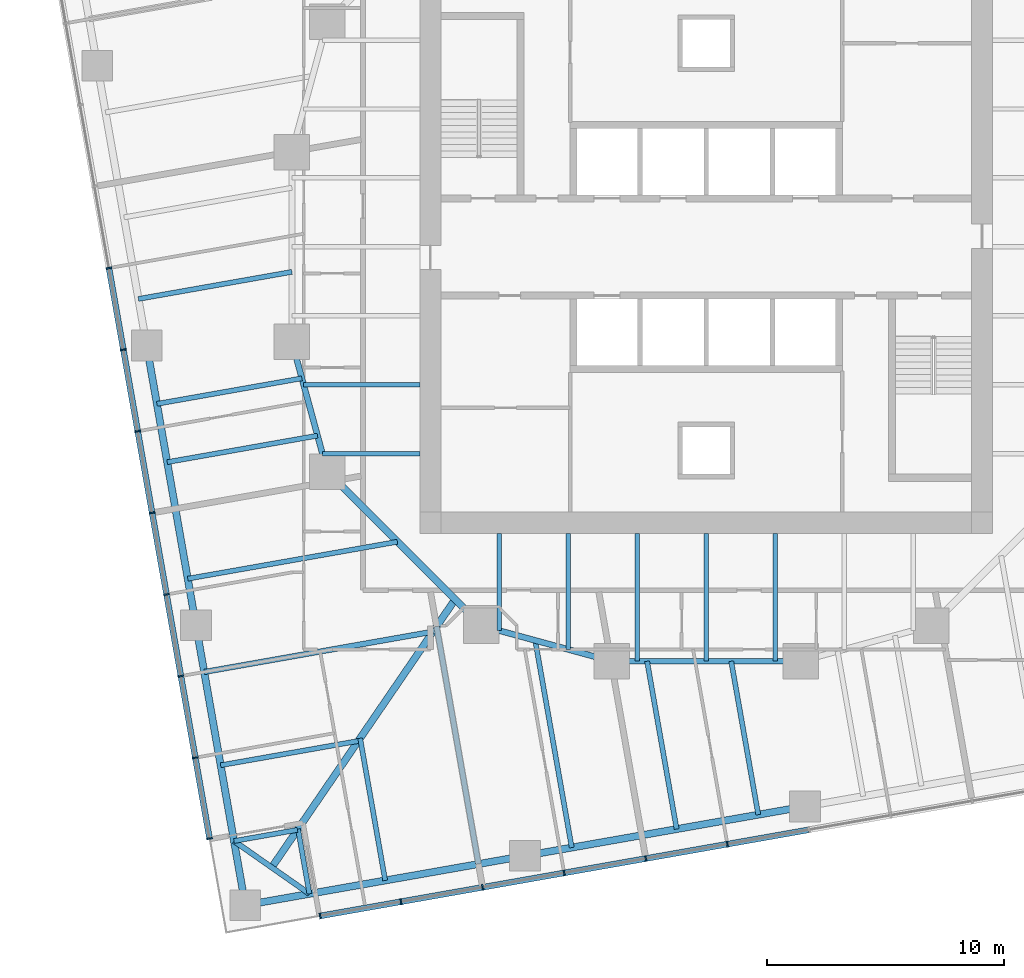
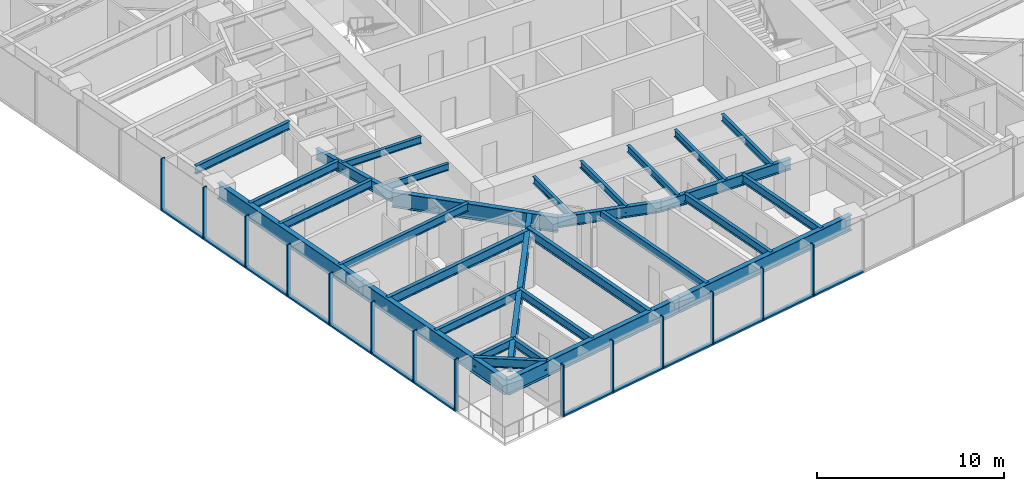
# One storey, part 2 of 14: 30 beams, 27 members, 2 elements without a shape of their own.
"""IFC4 building model written with IfcOpenShell, lengths in metres."""

import ifcopenshell
import ifcopenshell.guid

model = None  # the IFC model being written
_history = None  # IfcOwnerHistory: only IFC2X3 demands one
_inside = {}  # id of a spatial element -> (the spatial element, [elements in it])
_under = {}  # id of a project, library or spatial element -> (it, [spatial elements below it])
_declared = {}  # id of a project -> (the project, [libraries it declares])
_typed = {}  # id of a type object -> (the type object, [elements of that type])
_made_of = {}  # id of a material, layer set ... -> (it, [elements and type objects made of it])


def new_model(schema):
    """Start an empty IFC model of exactly this schema.

    Asked for "IFC4X3", IfcOpenShell would pick the latest addendum, in which some entities
    have other attributes; the version numbers below select the first issue.
    IFC2X3 requires an IfcOwnerHistory on every rooted entity: one is made here for all.
    """
    global model, _history
    if schema == "IFC4X3":
        model = ifcopenshell.file(schema_version=(4, 3, 0, 0))
    else:
        model = ifcopenshell.file(schema=schema)
    _inside.clear()
    _under.clear()
    _declared.clear()
    _typed.clear()
    _made_of.clear()
    _history = None
    if model.schema == "IFC2X3":
        org = make("IfcOrganization", Name="unknown")
        user = make(
            "IfcPersonAndOrganization",
            ThePerson=make("IfcPerson", FamilyName="unknown"),
            TheOrganization=org,
        )
        app = make(
            "IfcApplication",
            ApplicationDeveloper=org,
            Version="unknown",
            ApplicationFullName="unknown",
            ApplicationIdentifier="unknown",
        )
        _history = make(
            "IfcOwnerHistory",
            OwningUser=user,
            OwningApplication=app,
            ChangeAction="ADDED",
            CreationDate=0,
        )
    return model


def make(cls, **values):
    """One entity of the class cls with the attributes given. An attribute that is None is left unset."""
    return model.create_entity(
        cls, **{name: value for name, value in values.items() if value is not None}
    )


def rooted(cls, **values):
    """An entity with a GlobalId (a new one), such as an element, a storey or a relation."""
    return make(cls, GlobalId=ifcopenshell.guid.new(), OwnerHistory=_history, **values)


def si_unit(unit_type, name, prefix=None):
    """IfcSIUnit, for example si_unit("LENGTHUNIT", "METRE", prefix="MILLI")."""
    return make("IfcSIUnit", UnitType=unit_type, Prefix=prefix, Name=name)


def assignment(units):
    """IfcUnitAssignment: the units of a project."""
    return None if units is None else make("IfcUnitAssignment", Units=units)


def point(xyz):
    """IfcCartesianPoint."""
    return None if xyz is None else make("IfcCartesianPoint", Coordinates=xyz)


def direction(xyz):
    """IfcDirection."""
    return None if xyz is None else make("IfcDirection", DirectionRatios=xyz)


def frame(location, z_axis=None, x_axis=None):
    """IfcAxis2Placement3D, a coordinate frame: its origin and axes. An axis left out is left unset."""
    return make(
        "IfcAxis2Placement3D",
        Location=point(location),
        Axis=direction(z_axis),
        RefDirection=direction(x_axis),
    )


def frame_2d(location, x_axis=None):
    """IfcAxis2Placement2D, a coordinate frame in the plane: its origin and x axis."""
    return make(
        "IfcAxis2Placement2D", Location=point(location), RefDirection=direction(x_axis)
    )


def origin():
    """The frame at (0, 0, 0) with its axes left unset."""
    return frame((0.0, 0.0, 0.0))


def origin_2d():
    """The frame at (0, 0) in the plane with its x axis left unset."""
    return frame_2d((0.0, 0.0))


def place(relative_to, where):
    """IfcLocalPlacement: puts the frame where relative to a parent placement (None: the world)."""
    return make(
        "IfcLocalPlacement", PlacementRelTo=relative_to, RelativePlacement=where
    )


def context(
    kind, dimensions, precision=None, world=None, true_north=None, identifier=None
):
    """IfcGeometricRepresentationContext, for example the 3D "Model" context."""
    return make(
        "IfcGeometricRepresentationContext",
        ContextIdentifier=identifier,
        ContextType=kind,
        CoordinateSpaceDimension=dimensions,
        Precision=precision,
        WorldCoordinateSystem=world,
        TrueNorth=true_north,
    )


def subcontext(parent, identifier, kind, view, scale=None):
    """IfcGeometricRepresentationSubContext, for example "Body" below "Model"."""
    return make(
        "IfcGeometricRepresentationSubContext",
        ContextIdentifier=identifier,
        ContextType=kind,
        ParentContext=parent,
        TargetScale=scale,
        TargetView=view,
    )


def project(units=None, contexts=None):
    """IfcProject with its units and contexts."""
    return rooted(
        "IfcProject",
        Name="project",
        RepresentationContexts=contexts,
        UnitsInContext=assignment(units),
    )


def spatial(cls, under=None, at=None, **own):
    """A site, building, storey or space (cls), placed at a placement, below another one or the project."""
    s = rooted(cls, ObjectPlacement=at, **own)
    if under is not None:
        _under.setdefault(under.id(), (under, []))[1].append(s)
    return s


def profile(cls, at=None, kind="AREA", **sizes):
    """A parametric profile (cls). Its sizes go by their IFC names, for example OverallWidth=200.0."""
    return make(cls, ProfileType=kind, Position=at, **sizes)


def rectangle(**sizes):
    """IfcRectangleProfileDef."""
    return profile("IfcRectangleProfileDef", **sizes)


def i_section(**sizes):
    """IfcIShapeProfileDef."""
    return profile("IfcIShapeProfileDef", **sizes)


def extrude(swept, where, along, depth):
    """IfcExtrudedAreaSolid: the profile swept, set in the frame where, extruded along a direction by depth."""
    return make(
        "IfcExtrudedAreaSolid",
        SweptArea=swept,
        Position=where,
        ExtrudedDirection=direction(along),
        Depth=depth,
    )


def shape(context_of_items, identifier, shape_type, items):
    """IfcShapeRepresentation: the items that make up one representation, for example the "Body"."""
    return make(
        "IfcShapeRepresentation",
        ContextOfItems=context_of_items,
        RepresentationIdentifier=identifier,
        RepresentationType=shape_type,
        Items=items,
    )


def material(Name=None, Category=None):
    """IfcMaterial."""
    return make("IfcMaterial", Name=Name, Category=Category)


def material_profile(
    of_material, cross_section, Name=None, Category=None, Priority=None
):
    """IfcMaterialProfile: a cross section and its material."""
    return make(
        "IfcMaterialProfile",
        Name=Name,
        Material=of_material,
        Profile=cross_section,
        Priority=Priority,
        Category=Category,
    )


def profile_set(profiles, Name=None, composite=None):
    """IfcMaterialProfileSet."""
    return make(
        "IfcMaterialProfileSet",
        Name=Name,
        MaterialProfiles=profiles,
        CompositeProfile=composite,
    )


def made_of(thing, what):
    """Note that an element or type object is made of a material, layer set ...; save() writes the relation."""
    if what is not None:
        _made_of.setdefault(what.id(), (what, []))[1].append(thing)
    return thing


def type_object(cls, material=None, **own):
    """A type object (cls), such as IfcWallType, which elements share."""
    return made_of(rooted(cls, **own), material)


def element(
    cls,
    number,
    at=None,
    inside=None,
    cuts=None,
    type_object=None,
    material=None,
    context=None,
    identifier="Body",
    shape_type=None,
    held_by="IfcProductDefinitionShape",
    body=None,
    shapes=None,
    **own,
):
    """One element of the class cls, such as IfcWall. Its Tag is "e" and its number.

    at: its placement. inside: the storey or other place that contains it. cuts: it is an
    opening in that element (IfcRelVoidsElement). A single representation is given by context,
    identifier, shape_type and body (its items); several are given by shapes. held_by: the class
    of the entity that holds the representations. save() writes the other relations.
    """
    e = rooted(cls, Tag="e%d" % number, ObjectPlacement=at, **own)
    if body is not None:
        shapes = [shape(context, identifier, shape_type, body)]
    if shapes is not None:
        e.Representation = make(held_by, Representations=shapes)
    if inside is not None:
        _inside.setdefault(inside.id(), (inside, []))[1].append(e)
    if cuts is not None:
        rooted(
            "IfcRelVoidsElement", RelatingBuildingElement=cuts, RelatedOpeningElement=e
        )
    if type_object is not None:
        _typed.setdefault(type_object.id(), (type_object, []))[1].append(e)
    return made_of(e, material)


def aggregate(whole, parts):
    """IfcRelAggregates: a whole, such as a stair, and the parts it consists of."""
    return rooted("IfcRelAggregates", RelatingObject=whole, RelatedObjects=parts)


def save(model, path):
    """Write the relations noted so far, then the file.

    IfcRelAggregates (storeys below a building ...), IfcRelContainedInSpatialStructure (elements
    in a storey), IfcRelDefinesByType, IfcRelAssociatesMaterial and IfcRelDeclares: one each for
    every whole, place, type object, material and project.
    """
    for whole, parts in _under.values():
        aggregate(whole, parts)
    for where, things in _inside.values():
        rooted(
            "IfcRelContainedInSpatialStructure",
            RelatedElements=things,
            RelatingStructure=where,
        )
    for kind, things in _typed.values():
        rooted("IfcRelDefinesByType", RelatedObjects=things, RelatingType=kind)
    for what, things in _made_of.values():
        rooted("IfcRelAssociatesMaterial", RelatedObjects=things, RelatingMaterial=what)
    for by, libraries in _declared.values():
        rooted("IfcRelDeclares", RelatingContext=by, RelatedDefinitions=libraries)
    model.write(path)


model = new_model("IFC4")

# Units and contexts
model_context = context("Model", 3, precision=1e-05, world=origin(), true_north=direction((0.0, 1.0)))
body_context = subcontext(model_context, "Body", "Model", "MODEL_VIEW")
ifc_project = project(units=[si_unit("LENGTHUNIT", "METRE"), si_unit("AREAUNIT", "SQUARE_METRE"), si_unit("VOLUMEUNIT", "CUBIC_METRE"), si_unit("PLANEANGLEUNIT", "RADIAN"), si_unit("MASSUNIT", "GRAM", prefix="KILO")], contexts=[model_context])

# Site, building, storey
site_placement = place(None, origin())
site = spatial("IfcSite", under=ifc_project, at=site_placement, CompositionType="ELEMENT")
building_placement = place(site_placement, origin())
building = spatial("IfcBuilding", under=site, at=building_placement, Name="Torsade Residences", CompositionType="ELEMENT")
storey_placement = place(building_placement, frame((0.0, 0.0, 79.39990234375)))
storey = spatial("IfcBuildingStorey", under=building, at=storey_placement, Name="L21", CompositionType="ELEMENT", Elevation=79.39990234375)

# Beams
ifc_material_1 = material(Name="Steel grade 300", Category="steel")
ifc_material_profile_1 = material_profile(ifc_material_1, i_section(OverallWidth=0.300048828125, OverallDepth=0.89990234375, WebThickness=0.011962890625, FlangeThickness=0.02490234375, at=origin_2d()), Name="900WB175")
ifc_profile_set_1 = profile_set([ifc_material_profile_1], Name="Steel grade 300")
beam_type_1 = type_object("IfcBeamType", Name="CORNER GIRDER 900WB175", PredefinedType="BEAM", material=ifc_profile_set_1)
beam_1_placement = place(storey_placement, frame((21.6474609375, 3.7900390625, 2.800048828125), z_axis=(0.564724759437, 0.825279313977, 0.0), x_axis=(-0.825279313977, 0.564724759437, 0.0)))
element("IfcBeam", 1, at=beam_1_placement, inside=storey, type_object=beam_type_1, Name="Corner girder 01 L22", PredefinedType="BEAM", context=body_context, shape_type="SweptSolid", body=[
    extrude(i_section(OverallWidth=0.300048828125, OverallDepth=0.89990234375, WebThickness=0.011962890625, FlangeThickness=0.02490234375, at=origin_2d()), origin(), (0.0, 0.0, 1.0), 13.7138671875),
])
ifc_material_2 = material(Name="Steel grade 300", Category="steel")
ifc_material_profile_2 = material_profile(ifc_material_2, i_section(OverallWidth=0.22802734375, OverallDepth=0.60205078125, WebThickness=0.010498046875, FlangeThickness=0.014892578125, FilletRadius=0.013916015625, at=origin_2d()), Name="610UB101")
ifc_profile_set_2 = profile_set([ifc_material_profile_2], Name="Steel grade 300")
beam_type_2 = type_object("IfcBeamType", Name="CORNER TRIMMER 610UB101", PredefinedType="BEAM", material=ifc_profile_set_2)
beam_2_placement = place(storey_placement, frame((23.240478515625, 2.674560546875, 2.94921875), z_axis=(-0.819152285145, 0.573576092373, 0.0), x_axis=(-0.573576092373, -0.819152285145, 0.0)))
element("IfcBeam", 2, at=beam_2_placement, inside=storey, type_object=beam_type_2, Name="Corner trimmer 01 L22", PredefinedType="BEAM", context=body_context, shape_type="SweptSolid", body=[
    extrude(i_section(OverallWidth=0.22802734375, OverallDepth=0.60205078125, WebThickness=0.010498046875, FlangeThickness=0.014892578125, FilletRadius=0.013916015625, at=origin_2d()), origin(), (0.0, 0.0, 1.0), 3.88916015625),
])

# Curtain wall, members
ifc_material_3 = material(Name="Aluminium and glass", Category="aluminium")
curtain_wall_type = type_object("IfcCurtainWallType", Name="FRITTED GLASS CURTAIN WALL LOW ZONE", PredefinedType="NOTDEFINED", material=ifc_material_3)
curtain_wall_1_placement = place(storey_placement, origin())
curtain_wall_1 = element("IfcCurtainWall", 3, at=curtain_wall_1_placement, inside=storey, type_object=curtain_wall_type, Name="Curtain wall L21 face 1", PredefinedType="NOTDEFINED")
ifc_material_4 = material(Name="Aluminium mullion", Category="aluminium")
ifc_material_profile_3 = material_profile(ifc_material_4, rectangle(XDim=0.25, YDim=0.06494140625, at=origin_2d()), Name="CURTAIN WALL MULLION 250x65")
ifc_profile_set_3 = profile_set([ifc_material_profile_3], Name="Aluminium mullion")
member_type_1 = type_object("IfcMemberType", Name="CURTAIN WALL MULLION 250x65", PredefinedType="MULLION", material=ifc_profile_set_3)
member_1_placement = place(storey_placement, frame((23.692138671875, 1.73876953125, 0.0), z_axis=(0.0, 0.0, 1.0), x_axis=(-0.173648192638, 0.984807750372, 0.0)))
member_1 = element("IfcMember", 4, at=member_1_placement, type_object=member_type_1, Name="Mullion 1", PredefinedType="MULLION", context=body_context, shape_type="SweptSolid", body=[
    extrude(rectangle(XDim=0.25, YDim=0.06494140625, at=origin_2d()), origin(), (0.0, 0.0, 1.0), 3.400146484375),
])
member_2_placement = place(storey_placement, frame((27.107177734375, 2.341064453125, 0.0), z_axis=(0.0, 0.0, 1.0), x_axis=(-0.173648192638, 0.984807750372, 0.0)))
member_2 = element("IfcMember", 5, at=member_2_placement, type_object=member_type_1, Name="Mullion 2", PredefinedType="MULLION", context=body_context, shape_type="SweptSolid", body=[
    extrude(rectangle(XDim=0.25, YDim=0.06494140625, at=origin_2d()), origin(), (0.0, 0.0, 1.0), 3.400146484375),
])
member_3_placement = place(storey_placement, frame((30.553955078125, 2.94873046875, 0.0), z_axis=(0.0, 0.0, 1.0), x_axis=(-0.173648192638, 0.984807750372, 0.0)))
member_3 = element("IfcMember", 6, at=member_3_placement, type_object=member_type_1, Name="Mullion 3", PredefinedType="MULLION", context=body_context, shape_type="SweptSolid", body=[
    extrude(rectangle(XDim=0.25, YDim=0.06494140625, at=origin_2d()), origin(), (0.0, 0.0, 1.0), 3.400146484375),
])
member_4_placement = place(storey_placement, frame((34.000732421875, 3.556396484375, 0.0), z_axis=(0.0, 0.0, 1.0), x_axis=(-0.173648192638, 0.984807750372, 0.0)))
member_4 = element("IfcMember", 7, at=member_4_placement, type_object=member_type_1, Name="Mullion 4", PredefinedType="MULLION", context=body_context, shape_type="SweptSolid", body=[
    extrude(rectangle(XDim=0.25, YDim=0.06494140625, at=origin_2d()), origin(), (0.0, 0.0, 1.0), 3.400146484375),
])
member_5_placement = place(storey_placement, frame((37.447509765625, 4.164306640625, 0.0), z_axis=(0.0, 0.0, 1.0), x_axis=(-0.173648192638, 0.984807750372, 0.0)))
member_5 = element("IfcMember", 8, at=member_5_placement, type_object=member_type_1, Name="Mullion 5", PredefinedType="MULLION", context=body_context, shape_type="SweptSolid", body=[
    extrude(rectangle(XDim=0.25, YDim=0.06494140625, at=origin_2d()), origin(), (0.0, 0.0, 1.0), 3.400146484375),
])
member_6_placement = place(storey_placement, frame((40.894287109375, 4.77197265625, 0.0), z_axis=(0.0, 0.0, 1.0), x_axis=(-0.173648192638, 0.984807750372, 0.0)))
member_6 = element("IfcMember", 9, at=member_6_placement, type_object=member_type_1, Name="Mullion 6", PredefinedType="MULLION", context=body_context, shape_type="SweptSolid", body=[
    extrude(rectangle(XDim=0.25, YDim=0.06494140625, at=origin_2d()), origin(), (0.0, 0.0, 1.0), 3.400146484375),
])

curtain_wall_2_placement = place(storey_placement, origin())
curtain_wall_2 = element("IfcCurtainWall", 10, at=curtain_wall_2_placement, inside=storey, type_object=curtain_wall_type, Name="Curtain wall L21 face 10", PredefinedType="NOTDEFINED")
member_7_placement = place(storey_placement, frame((14.77197265625, 29.105712890625, 0.0), z_axis=(0.0, 0.0, 1.0), x_axis=(0.984807750372, 0.173648192638, 0.0)))
member_7 = element("IfcMember", 11, at=member_7_placement, type_object=member_type_1, Name="Mullion 6", PredefinedType="MULLION", context=body_context, shape_type="SweptSolid", body=[
    extrude(rectangle(XDim=0.25, YDim=0.06494140625, at=origin_2d()), origin(), (0.0, 0.0, 1.0), 3.400146484375),
])
member_8_placement = place(storey_placement, frame((15.3798828125, 25.65869140625, 0.0), z_axis=(0.0, 0.0, 1.0), x_axis=(0.984807750372, 0.173648192638, 0.0)))
member_8 = element("IfcMember", 12, at=member_8_placement, type_object=member_type_1, Name="Mullion 7", PredefinedType="MULLION", context=body_context, shape_type="SweptSolid", body=[
    extrude(rectangle(XDim=0.25, YDim=0.06494140625, at=origin_2d()), origin(), (0.0, 0.0, 1.0), 3.400146484375),
])
member_9_placement = place(storey_placement, frame((15.987548828125, 22.2119140625, 0.0), z_axis=(0.0, 0.0, 1.0), x_axis=(0.984807750372, 0.173648192638, 0.0)))
member_9 = element("IfcMember", 13, at=member_9_placement, type_object=member_type_1, Name="Mullion 8", PredefinedType="MULLION", context=body_context, shape_type="SweptSolid", body=[
    extrude(rectangle(XDim=0.25, YDim=0.06494140625, at=origin_2d()), origin(), (0.0, 0.0, 1.0), 3.400146484375),
])
member_10_placement = place(storey_placement, frame((16.595458984375, 18.76513671875, 0.0), z_axis=(0.0, 0.0, 1.0), x_axis=(0.984807750372, 0.173648192638, 0.0)))
member_10 = element("IfcMember", 14, at=member_10_placement, type_object=member_type_1, Name="Mullion 9", PredefinedType="MULLION", context=body_context, shape_type="SweptSolid", body=[
    extrude(rectangle(XDim=0.25, YDim=0.06494140625, at=origin_2d()), origin(), (0.0, 0.0, 1.0), 3.400146484375),
])
member_11_placement = place(storey_placement, frame((17.203125, 15.318359375, 0.0), z_axis=(0.0, 0.0, 1.0), x_axis=(0.984807750372, 0.173648192638, 0.0)))
member_11 = element("IfcMember", 15, at=member_11_placement, type_object=member_type_1, Name="Mullion 10", PredefinedType="MULLION", context=body_context, shape_type="SweptSolid", body=[
    extrude(rectangle(XDim=0.25, YDim=0.06494140625, at=origin_2d()), origin(), (0.0, 0.0, 1.0), 3.400146484375),
])
member_12_placement = place(storey_placement, frame((17.810791015625, 11.87158203125, 0.0), z_axis=(0.0, 0.0, 1.0), x_axis=(0.984807750372, 0.173648192638, 0.0)))
member_12 = element("IfcMember", 16, at=member_12_placement, type_object=member_type_1, Name="Mullion 11", PredefinedType="MULLION", context=body_context, shape_type="SweptSolid", body=[
    extrude(rectangle(XDim=0.25, YDim=0.06494140625, at=origin_2d()), origin(), (0.0, 0.0, 1.0), 3.400146484375),
])
member_13_placement = place(storey_placement, frame((18.418701171875, 8.424560546875, 0.0), z_axis=(0.0, 0.0, 1.0), x_axis=(0.984807750372, 0.173648192638, 0.0)))
member_13 = element("IfcMember", 17, at=member_13_placement, type_object=member_type_1, Name="Mullion 12", PredefinedType="MULLION", context=body_context, shape_type="SweptSolid", body=[
    extrude(rectangle(XDim=0.25, YDim=0.06494140625, at=origin_2d()), origin(), (0.0, 0.0, 1.0), 3.400146484375),
])
member_14_placement = place(storey_placement, frame((19.020751953125, 5.009765625, 0.0), z_axis=(0.0, 0.0, 1.0), x_axis=(0.984807750372, 0.173648192638, 0.0)))
member_14 = element("IfcMember", 18, at=member_14_placement, type_object=member_type_1, Name="Mullion 13", PredefinedType="MULLION", context=body_context, shape_type="SweptSolid", body=[
    extrude(rectangle(XDim=0.25, YDim=0.06494140625, at=origin_2d()), origin(), (0.0, 0.0, 1.0), 3.400146484375),
])

# Member
ifc_material_5 = material(Name="Aluminium transom", Category="aluminium")
ifc_material_profile_4 = material_profile(ifc_material_5, rectangle(XDim=0.25, YDim=0.10009765625, at=origin_2d()), Name="CURTAIN WALL TRANSOM 250x100")
ifc_profile_set_4 = profile_set([ifc_material_profile_4], Name="Aluminium transom")
member_type_2 = type_object("IfcMemberType", Name="CURTAIN WALL TRANSOM 250x100", PredefinedType="USERDEFINED", material=ifc_profile_set_4)
member_15_placement = place(storey_placement, frame((23.724365234375, 1.744384765625, 0.050048828125), z_axis=(0.984806666774, 0.173654337918, 0.0), x_axis=(-0.173654337918, 0.984806666774, 0.0)))
member_15 = element("IfcMember", 19, at=member_15_placement, type_object=member_type_2, Name="Transom 1.1", ObjectType="TRANSOM", PredefinedType="USERDEFINED", context=body_context, shape_type="SweptSolid", body=[
    extrude(rectangle(XDim=0.25, YDim=0.10009765625, at=origin_2d()), origin(), (0.0, 0.0, 1.0), 3.40234375),
])

member_16_placement = place(storey_placement, frame((27.13916015625, 2.3466796875, 0.050048828125), z_axis=(0.984810021497, 0.17363531196, 0.0), x_axis=(-0.17363531196, 0.984810021497, 0.0)))
member_16 = element("IfcMember", 20, at=member_16_placement, type_object=member_type_2, Name="Transom 2.1", ObjectType="TRANSOM", PredefinedType="USERDEFINED", context=body_context, shape_type="SweptSolid", body=[
    extrude(rectangle(XDim=0.25, YDim=0.10009765625, at=origin_2d()), origin(), (0.0, 0.0, 1.0), 3.43505859375),
])

member_17_placement = place(storey_placement, frame((30.5859375, 2.954345703125, 0.050048828125), z_axis=(0.984810021497, 0.17363531196, 0.0), x_axis=(-0.17363531196, 0.984810021497, 0.0)))
member_17 = element("IfcMember", 21, at=member_17_placement, type_object=member_type_2, Name="Transom 3.1", ObjectType="TRANSOM", PredefinedType="USERDEFINED", context=body_context, shape_type="SweptSolid", body=[
    extrude(rectangle(XDim=0.25, YDim=0.10009765625, at=origin_2d()), origin(), (0.0, 0.0, 1.0), 3.43505859375),
])

member_18_placement = place(storey_placement, frame((34.03271484375, 3.562255859375, 0.050048828125), z_axis=(0.984810021497, 0.17363531196, 0.0), x_axis=(-0.17363531196, 0.984810021497, 0.0)))
member_18 = element("IfcMember", 22, at=member_18_placement, type_object=member_type_2, Name="Transom 4.1", ObjectType="TRANSOM", PredefinedType="USERDEFINED", context=body_context, shape_type="SweptSolid", body=[
    extrude(rectangle(XDim=0.25, YDim=0.10009765625, at=origin_2d()), origin(), (0.0, 0.0, 1.0), 3.43505859375),
])

member_19_placement = place(storey_placement, frame((37.4794921875, 4.169921875, 0.050048828125), z_axis=(0.984810021497, 0.17363531196, 0.0), x_axis=(-0.17363531196, 0.984810021497, 0.0)))
member_19 = element("IfcMember", 23, at=member_19_placement, type_object=member_type_2, Name="Transom 5.1", ObjectType="TRANSOM", PredefinedType="USERDEFINED", context=body_context, shape_type="SweptSolid", body=[
    extrude(rectangle(XDim=0.25, YDim=0.10009765625, at=origin_2d()), origin(), (0.0, 0.0, 1.0), 3.43505859375),
])

member_20_placement = place(storey_placement, frame((40.92626953125, 4.777587890625, 0.050048828125), z_axis=(0.98479786563, 0.173704242465, 0.0), x_axis=(-0.173704242465, 0.98479786563, 0.0)))
member_20 = element("IfcMember", 24, at=member_20_placement, type_object=member_type_2, Name="Transom 6.1", ObjectType="TRANSOM", PredefinedType="USERDEFINED", context=body_context, shape_type="SweptSolid", body=[
    extrude(rectangle(XDim=0.25, YDim=0.10009765625, at=origin_2d()), origin(), (0.0, 0.0, 1.0), 3.43505859375),
])

aggregate(curtain_wall_1, [member_1, member_2, member_3, member_4, member_5, member_6, member_15, member_16, member_17, member_18, member_19, member_20])

member_21_placement = place(storey_placement, frame((14.777587890625, 29.07373046875, 0.050048828125), z_axis=(0.173704242465, -0.98479786563, 0.0), x_axis=(0.98479786563, 0.173704242465, 0.0)))
member_21 = element("IfcMember", 25, at=member_21_placement, type_object=member_type_2, Name="Transom 6.1", ObjectType="TRANSOM", PredefinedType="USERDEFINED", context=body_context, shape_type="SweptSolid", body=[
    extrude(rectangle(XDim=0.25, YDim=0.10009765625, at=origin_2d()), origin(), (0.0, 0.0, 1.0), 3.43505859375),
])

member_22_placement = place(storey_placement, frame((15.385498046875, 25.626708984375, 0.050048828125), z_axis=(0.17363531196, -0.984810021497, 0.0), x_axis=(0.984810021497, 0.17363531196, 0.0)))
member_22 = element("IfcMember", 26, at=member_22_placement, type_object=member_type_2, Name="Transom 7.1", ObjectType="TRANSOM", PredefinedType="USERDEFINED", context=body_context, shape_type="SweptSolid", body=[
    extrude(rectangle(XDim=0.25, YDim=0.10009765625, at=origin_2d()), origin(), (0.0, 0.0, 1.0), 3.43505859375),
])

member_23_placement = place(storey_placement, frame((15.9931640625, 22.179931640625, 0.050048828125), z_axis=(0.17363531196, -0.984810021497, 0.0), x_axis=(0.984810021497, 0.17363531196, 0.0)))
member_23 = element("IfcMember", 27, at=member_23_placement, type_object=member_type_2, Name="Transom 8.1", ObjectType="TRANSOM", PredefinedType="USERDEFINED", context=body_context, shape_type="SweptSolid", body=[
    extrude(rectangle(XDim=0.25, YDim=0.10009765625, at=origin_2d()), origin(), (0.0, 0.0, 1.0), 3.43505859375),
])

member_24_placement = place(storey_placement, frame((16.60107421875, 18.733154296875, 0.050048828125), z_axis=(0.17363531196, -0.984810021497, 0.0), x_axis=(0.984810021497, 0.17363531196, 0.0)))
member_24 = element("IfcMember", 28, at=member_24_placement, type_object=member_type_2, Name="Transom 9.1", ObjectType="TRANSOM", PredefinedType="USERDEFINED", context=body_context, shape_type="SweptSolid", body=[
    extrude(rectangle(XDim=0.25, YDim=0.10009765625, at=origin_2d()), origin(), (0.0, 0.0, 1.0), 3.43505859375),
])

member_25_placement = place(storey_placement, frame((17.208740234375, 15.286376953125, 0.050048828125), z_axis=(0.17363531196, -0.984810021497, 0.0), x_axis=(0.984810021497, 0.17363531196, 0.0)))
member_25 = element("IfcMember", 29, at=member_25_placement, type_object=member_type_2, Name="Transom 10.1", ObjectType="TRANSOM", PredefinedType="USERDEFINED", context=body_context, shape_type="SweptSolid", body=[
    extrude(rectangle(XDim=0.25, YDim=0.10009765625, at=origin_2d()), origin(), (0.0, 0.0, 1.0), 3.43505859375),
])

member_26_placement = place(storey_placement, frame((17.81640625, 11.839599609375, 0.050048828125), z_axis=(0.173704242465, -0.98479786563, 0.0), x_axis=(0.98479786563, 0.173704242465, 0.0)))
member_26 = element("IfcMember", 30, at=member_26_placement, type_object=member_type_2, Name="Transom 11.1", ObjectType="TRANSOM", PredefinedType="USERDEFINED", context=body_context, shape_type="SweptSolid", body=[
    extrude(rectangle(XDim=0.25, YDim=0.10009765625, at=origin_2d()), origin(), (0.0, 0.0, 1.0), 3.43505859375),
])

member_27_placement = place(storey_placement, frame((18.42431640625, 8.392578125, 0.050048828125), z_axis=(0.173642067011, -0.984808830466, 0.0), x_axis=(0.984808830466, 0.173642067011, 0.0)))
member_27 = element("IfcMember", 31, at=member_27_placement, type_object=member_type_2, Name="Transom 12.1", ObjectType="TRANSOM", PredefinedType="USERDEFINED", context=body_context, shape_type="SweptSolid", body=[
    extrude(rectangle(XDim=0.25, YDim=0.10009765625, at=origin_2d()), origin(), (0.0, 0.0, 1.0), 3.402587890625),
])

aggregate(curtain_wall_2, [member_7, member_8, member_9, member_10, member_11, member_12, member_13, member_14, member_21, member_22, member_23, member_24, member_25, member_26, member_27])

# Beams
ifc_material_6 = material(Name="Steel grade 300", Category="steel")
ifc_material_profile_5 = material_profile(ifc_material_6, i_section(OverallWidth=0.300048828125, OverallDepth=1.0, WebThickness=0.01611328125, FlangeThickness=0.028076171875, at=origin_2d()), Name="1000WB215")
ifc_profile_set_5 = profile_set([ifc_material_profile_5], Name="Steel grade 300")
beam_type_3 = type_object("IfcBeamType", Name="EDGE BEAM 1000WB215", PredefinedType="SPANDREL", material=ifc_profile_set_5)
for number, where, z_axis, x_axis, name in (
    (32, (20.5322265625, 2.197021484375, 2.75), (0.984808127031, 0.173646056486, 0.0), (-0.173646056486, 0.984808127031, 0.0), "Edge beam 01 L22"),
    (33, (32.349853515625, 4.28076171875, 2.75), (0.984808127031, 0.173646056486, 0.0), (-0.173646056486, 0.984808127031, 0.0), "Edge beam 02 L22"),
):
    element("IfcBeam", number, at=place(storey_placement, frame(where, z_axis=z_axis, x_axis=x_axis)), inside=storey, type_object=beam_type_3, Name=name, PredefinedType="SPANDREL", context=body_context, shape_type="SweptSolid", body=[
        extrude(i_section(OverallWidth=0.300048828125, OverallDepth=1.0, WebThickness=0.01611328125, FlangeThickness=0.028076171875, at=origin_2d()), origin(), (0.0, 0.0, 1.0), 12.0),
    ])
beam_3_placement = place(storey_placement, frame((16.364501953125, 25.83251953125, 2.75), z_axis=(0.173662308598, -0.984805261243, 0.0), x_axis=(0.984805261243, 0.173662308598, 0.0)))
element("IfcBeam", 34, at=beam_3_placement, inside=storey, type_object=beam_type_3, Name="Edge beam 15 L22", PredefinedType="SPANDREL", context=body_context, shape_type="SweptSolid", body=[
    extrude(i_section(OverallWidth=0.300048828125, OverallDepth=1.0, WebThickness=0.01611328125, FlangeThickness=0.028076171875, at=origin_2d()), origin(), (0.0, 0.0, 1.0), 12.000244140625),
])
beam_4_placement = place(storey_placement, frame((18.448486328125, 14.0146484375, 2.75), z_axis=(0.173646056486, -0.984808127031, 0.0), x_axis=(0.984808127031, 0.173646056486, 0.0)))
element("IfcBeam", 35, at=beam_4_placement, inside=storey, type_object=beam_type_3, Name="Edge beam 16 L22", PredefinedType="SPANDREL", context=body_context, shape_type="SweptSolid", body=[
    extrude(i_section(OverallWidth=0.300048828125, OverallDepth=1.0, WebThickness=0.01611328125, FlangeThickness=0.028076171875, at=origin_2d()), origin(), (0.0, 0.0, 1.0), 12.0),
])
ifc_material_7 = material(Name="Steel grade 300", Category="steel")
ifc_material_profile_6 = material_profile(ifc_material_7, i_section(OverallWidth=0.18994140625, OverallDepth=0.4541015625, WebThickness=0.008544921875, FlangeThickness=0.0126953125, FilletRadius=0.011474609375, at=origin_2d()), Name="460UB67.1")
ifc_profile_set_6 = profile_set([ifc_material_profile_6], Name="Steel grade 300")
beam_type_4 = type_object("IfcBeamType", Name="INNER FLOOR BEAM 460UB67.1", PredefinedType="JOIST", material=ifc_profile_set_6)
for number, where, z_axis, x_axis, name in (
    (36, (42.91259765625, 17.89990234375, 3.023193359375), (0.0, -1.0, 0.0), (1.0, 0.0, 0.0), "Inner floor beam IS03 L22"),
    (37, (40.0, 17.89990234375, 3.023193359375), (0.0, -1.0, 0.0), (1.0, 0.0, 0.0), "Inner floor beam IS04 L22"),
    (38, (37.08740234375, 17.89990234375, 3.023193359375), (0.0, -1.0, 0.0), (1.0, 0.0, 0.0), "Inner floor beam IS05 L22"),
):
    element("IfcBeam", number, at=place(storey_placement, frame(where, z_axis=z_axis, x_axis=x_axis)), inside=storey, type_object=beam_type_4, Name=name, PredefinedType="JOIST", context=body_context, shape_type="SweptSolid", body=[
        extrude(i_section(OverallWidth=0.18994140625, OverallDepth=0.4541015625, WebThickness=0.008544921875, FlangeThickness=0.0126953125, FilletRadius=0.011474609375, at=origin_2d()), origin(), (0.0, 0.0, 1.0), 5.39990234375),
    ])
beam_5_placement = place(storey_placement, frame((34.175048828125, 17.89990234375, 3.023193359375), z_axis=(0.0, -1.0, 0.0), x_axis=(1.0, 0.0, 0.0)))
element("IfcBeam", 39, at=beam_5_placement, inside=storey, type_object=beam_type_4, Name="Inner floor beam IS06 L22", PredefinedType="JOIST", context=body_context, shape_type="SweptSolid", body=[
    extrude(i_section(OverallWidth=0.18994140625, OverallDepth=0.4541015625, WebThickness=0.008544921875, FlangeThickness=0.0126953125, FilletRadius=0.011474609375, at=origin_2d()), origin(), (0.0, 0.0, 1.0), 4.902099609375),
])
beam_6_placement = place(storey_placement, frame((31.262451171875, 17.89990234375, 3.023193359375), z_axis=(0.0, -1.0, 0.0), x_axis=(1.0, 0.0, 0.0)))
element("IfcBeam", 40, at=beam_6_placement, inside=storey, type_object=beam_type_4, Name="Inner floor beam IS07 L22", PredefinedType="JOIST", context=body_context, shape_type="SweptSolid", body=[
    extrude(i_section(OverallWidth=0.18994140625, OverallDepth=0.4541015625, WebThickness=0.008544921875, FlangeThickness=0.0126953125, FilletRadius=0.011474609375, at=origin_2d()), origin(), (0.0, 0.0, 1.0), 4.10791015625),
])
beam_7_placement = place(storey_placement, frame((27.89990234375, 24.175048828125, 3.023193359375), z_axis=(-1.0, 0.0, 0.0), x_axis=(0.0, -1.0, 0.0)))
element("IfcBeam", 41, at=beam_7_placement, inside=storey, type_object=beam_type_4, Name="Inner floor beam IW06 L22", PredefinedType="JOIST", context=body_context, shape_type="SweptSolid", body=[
    extrude(i_section(OverallWidth=0.18994140625, OverallDepth=0.4541015625, WebThickness=0.008544921875, FlangeThickness=0.0126953125, FilletRadius=0.011474609375, at=origin_2d()), origin(), (0.0, 0.0, 1.0), 4.902099609375),
])
beam_8_placement = place(storey_placement, frame((27.89990234375, 21.262451171875, 3.023193359375), z_axis=(-1.0, 0.0, 0.0), x_axis=(0.0, -1.0, 0.0)))
element("IfcBeam", 42, at=beam_8_placement, inside=storey, type_object=beam_type_4, Name="Inner floor beam IW07 L22", PredefinedType="JOIST", context=body_context, shape_type="SweptSolid", body=[
    extrude(i_section(OverallWidth=0.18994140625, OverallDepth=0.4541015625, WebThickness=0.008544921875, FlangeThickness=0.0126953125, FilletRadius=0.011474609375, at=origin_2d()), origin(), (0.0, 0.0, 1.0), 4.10791015625),
])
ifc_material_8 = material(Name="Steel grade 300", Category="steel")
ifc_material_profile_7 = material_profile(ifc_material_8, i_section(OverallWidth=0.300048828125, OverallDepth=1.0, WebThickness=0.01611328125, FlangeThickness=0.028076171875, at=origin_2d()), Name="1000WB215")
ifc_profile_set_7 = profile_set([ifc_material_profile_7], Name="Steel grade 300")
beam_type_5 = type_object("IfcBeamType", Name="RING CORNER GIRDER 1000WB215", PredefinedType="BEAM", material=ifc_profile_set_7)
beam_9_placement = place(storey_placement, frame((24.0, 20.5, 2.75), z_axis=(0.707106781187, -0.707106781187, 0.0), x_axis=(0.707106781187, 0.707106781187, 0.0)))
element("IfcBeam", 43, at=beam_9_placement, inside=storey, type_object=beam_type_5, Name="Ring girder IR11 L22", PredefinedType="BEAM", context=body_context, shape_type="SweptSolid", body=[
    extrude(i_section(OverallWidth=0.300048828125, OverallDepth=1.0, WebThickness=0.01611328125, FlangeThickness=0.028076171875, at=origin_2d()), origin(), (0.0, 0.0, 1.0), 9.1923828125),
])
ifc_material_9 = material(Name="Steel grade 300", Category="steel")
ifc_material_profile_8 = material_profile(ifc_material_9, i_section(OverallWidth=0.25, OverallDepth=0.699951171875, WebThickness=0.010009765625, FlangeThickness=0.02001953125, at=origin_2d()), Name="700WB130")
ifc_profile_set_8 = profile_set([ifc_material_profile_8], Name="Steel grade 300")
beam_type_6 = type_object("IfcBeamType", Name="RING GIRDER 700WB130", PredefinedType="BEAM", material=ifc_profile_set_8)
for number, where, z_axis, x_axis, name in (
    (44, (22.5, 26.0, 2.900146484375), (0.263117405792, -0.964763821238, 0.0), (0.964763821238, 0.263117405792, 0.0), "Ring girder IR10 L22"),
    (45, (30.5, 14.0, 2.900146484375), (0.964763821238, -0.263117405792, 0.0), (0.263117405792, 0.964763821238, 0.0), "Ring girder IR12 L22"),
):
    element("IfcBeam", number, at=place(storey_placement, frame(where, z_axis=z_axis, x_axis=x_axis)), inside=storey, type_object=beam_type_6, Name=name, PredefinedType="BEAM", context=body_context, shape_type="SweptSolid", body=[
        extrude(i_section(OverallWidth=0.25, OverallDepth=0.699951171875, WebThickness=0.010009765625, FlangeThickness=0.02001953125, at=origin_2d()), origin(), (0.0, 0.0, 1.0), 5.700927734375),
    ])
beam_10_placement = place(storey_placement, frame((36.0, 12.5, 2.900146484375), z_axis=(1.0, 0.0, 0.0), x_axis=(0.0, 1.0, 0.0)))
element("IfcBeam", 46, at=beam_10_placement, inside=storey, type_object=beam_type_6, Name="Ring girder IR13 L22", PredefinedType="BEAM", context=body_context, shape_type="SweptSolid", body=[
    extrude(i_section(OverallWidth=0.25, OverallDepth=0.699951171875, WebThickness=0.010009765625, FlangeThickness=0.02001953125, at=origin_2d()), origin(), (0.0, 0.0, 1.0), 8.0),
])
ifc_material_10 = material(Name="Steel grade 300", Category="steel")
ifc_material_profile_9 = material_profile(ifc_material_10, i_section(OverallWidth=0.208984375, OverallDepth=0.528076171875, WebThickness=0.009521484375, FlangeThickness=0.01318359375, FilletRadius=0.013916015625, at=origin_2d()), Name="530UB82.0")
ifc_profile_set_9 = profile_set([ifc_material_profile_9], Name="Steel grade 300")
beam_type_7 = type_object("IfcBeamType", Name="SECONDARY BEAM 530UB82.0", PredefinedType="JOIST", material=ifc_profile_set_9)
beam_11_placement = place(storey_placement, frame((23.240478515625, 2.674560546875, 2.986083984375), z_axis=(-0.173705176765, 0.984797700832, 0.0), x_axis=(-0.984797700832, -0.173705176765, 0.0)))
element("IfcBeam", 47, at=beam_11_placement, inside=storey, type_object=beam_type_7, Name="Floor beam FS01 L22", PredefinedType="JOIST", context=body_context, shape_type="SweptSolid", body=[
    extrude(i_section(OverallWidth=0.208984375, OverallDepth=0.528076171875, WebThickness=0.009521484375, FlangeThickness=0.01318359375, FilletRadius=0.013916015625, at=origin_2d()), origin(), (0.0, 0.0, 1.0), 2.780029296875),
])
beam_12_placement = place(storey_placement, frame((26.44091796875, 3.239013671875, 2.986083984375), z_axis=(-0.173639225065, 0.984809331556, 0.0), x_axis=(-0.984809331556, -0.173639225065, 0.0)))
element("IfcBeam", 48, at=beam_12_placement, inside=storey, type_object=beam_type_7, Name="Floor beam FS02 L22", PredefinedType="JOIST", context=body_context, shape_type="SweptSolid", body=[
    extrude(i_section(OverallWidth=0.208984375, OverallDepth=0.528076171875, WebThickness=0.009521484375, FlangeThickness=0.01318359375, FilletRadius=0.013916015625, at=origin_2d()), origin(), (0.0, 0.0, 1.0), 6.100830078125),
])
beam_13_placement = place(storey_placement, frame((34.319580078125, 4.628173828125, 2.986083984375), z_axis=(-0.173667781384, 0.984804296147, 0.0), x_axis=(-0.984804296147, -0.173667781384, 0.0)))
element("IfcBeam", 49, at=beam_13_placement, inside=storey, type_object=beam_type_7, Name="Floor beam FS04 L22", PredefinedType="JOIST", context=body_context, shape_type="SweptSolid", body=[
    extrude(i_section(OverallWidth=0.208984375, OverallDepth=0.528076171875, WebThickness=0.009521484375, FlangeThickness=0.01318359375, FilletRadius=0.013916015625, at=origin_2d()), origin(), (0.0, 0.0, 1.0), 8.885986328125),
])
beam_14_placement = place(storey_placement, frame((38.751220703125, 5.40966796875, 2.986083984375), z_axis=(-0.173651855324, 0.984807104535, 0.0), x_axis=(-0.984807104535, -0.173651855324, 0.0)))
element("IfcBeam", 50, at=beam_14_placement, inside=storey, type_object=beam_type_7, Name="Floor beam FS05 L22", PredefinedType="JOIST", context=body_context, shape_type="SweptSolid", body=[
    extrude(i_section(OverallWidth=0.208984375, OverallDepth=0.528076171875, WebThickness=0.009521484375, FlangeThickness=0.01318359375, FilletRadius=0.013916015625, at=origin_2d()), origin(), (0.0, 0.0, 1.0), 7.19970703125),
])
for number, where, z_axis, x_axis, name in (
    (51, (42.197998046875, 6.017333984375, 2.986083984375), (-0.173647806501, 0.984807818459, 0.0), (-0.984807818459, -0.173647806501, 0.0), "Floor beam FS06 L22"),
    (52, (16.017333984375, 27.802001953125, 2.986083984375), (0.984807818459, 0.173647806501, 0.0), (-0.173647806501, 0.984807818459, 0.0), "Floor beam FW06 L22"),
):
    element("IfcBeam", number, at=place(storey_placement, frame(where, z_axis=z_axis, x_axis=x_axis)), inside=storey, type_object=beam_type_7, Name=name, PredefinedType="JOIST", context=body_context, shape_type="SweptSolid", body=[
        extrude(i_section(OverallWidth=0.208984375, OverallDepth=0.528076171875, WebThickness=0.009521484375, FlangeThickness=0.01318359375, FilletRadius=0.013916015625, at=origin_2d()), origin(), (0.0, 0.0, 1.0), 6.582763671875),
    ])
beam_15_placement = place(storey_placement, frame((16.798828125, 23.370361328125, 2.986083984375), z_axis=(0.984806474989, 0.173655425542, 0.0), x_axis=(-0.173655425542, 0.984806474989, 0.0)))
element("IfcBeam", 53, at=beam_15_placement, inside=storey, type_object=beam_type_7, Name="Floor beam FW07 L22", PredefinedType="JOIST", context=body_context, shape_type="SweptSolid", body=[
    extrude(i_section(OverallWidth=0.208984375, OverallDepth=0.528076171875, WebThickness=0.009521484375, FlangeThickness=0.01318359375, FilletRadius=0.013916015625, at=origin_2d()), origin(), (0.0, 0.0, 1.0), 6.21826171875),
])
beam_16_placement = place(storey_placement, frame((17.23291015625, 20.908447265625, 2.986083984375), z_axis=(0.984810608823, 0.17363198078, 0.0), x_axis=(-0.17363198078, 0.984810608823, 0.0)))
element("IfcBeam", 54, at=beam_16_placement, inside=storey, type_object=beam_type_7, Name="Floor beam FW08 L22", PredefinedType="JOIST", context=body_context, shape_type="SweptSolid", body=[
    extrude(i_section(OverallWidth=0.208984375, OverallDepth=0.528076171875, WebThickness=0.009521484375, FlangeThickness=0.01318359375, FilletRadius=0.013916015625, at=origin_2d()), origin(), (0.0, 0.0, 1.0), 6.4482421875),
])
beam_17_placement = place(storey_placement, frame((18.10107421875, 15.984375, 2.986083984375), z_axis=(0.984809246638, 0.173639706679, 0.0), x_axis=(-0.173639706679, 0.984809246638, 0.0)))
element("IfcBeam", 55, at=beam_17_placement, inside=storey, type_object=beam_type_7, Name="Floor beam FW09 L22", PredefinedType="JOIST", context=body_context, shape_type="SweptSolid", body=[
    extrude(i_section(OverallWidth=0.208984375, OverallDepth=0.528076171875, WebThickness=0.009521484375, FlangeThickness=0.01318359375, FilletRadius=0.013916015625, at=origin_2d()), origin(), (0.0, 0.0, 1.0), 8.989990234375),
])
beam_18_placement = place(storey_placement, frame((19.490234375, 8.10595703125, 2.986083984375), z_axis=(0.984811033899, 0.173629569808, 0.0), x_axis=(-0.173629569808, 0.984811033899, 0.0)))
element("IfcBeam", 56, at=beam_18_placement, inside=storey, type_object=beam_type_7, Name="Floor beam FW11 L22", PredefinedType="JOIST", context=body_context, shape_type="SweptSolid", body=[
    extrude(i_section(OverallWidth=0.208984375, OverallDepth=0.528076171875, WebThickness=0.009521484375, FlangeThickness=0.01318359375, FilletRadius=0.013916015625, at=origin_2d()), origin(), (0.0, 0.0, 1.0), 5.9013671875),
])
beam_19_placement = place(storey_placement, frame((20.0546875, 4.9052734375, 2.986083984375), z_axis=(0.984807941563, 0.17364710834, 0.0), x_axis=(-0.17364710834, 0.984807941563, 0.0)))
element("IfcBeam", 57, at=beam_19_placement, inside=storey, type_object=beam_type_7, Name="Floor beam FW12 L22", PredefinedType="JOIST", context=body_context, shape_type="SweptSolid", body=[
    extrude(i_section(OverallWidth=0.208984375, OverallDepth=0.528076171875, WebThickness=0.009521484375, FlangeThickness=0.01318359375, FilletRadius=0.013916015625, at=origin_2d()), origin(), (0.0, 0.0, 1.0), 2.720458984375),
])
ifc_material_11 = material(Name="Steel grade 300", Category="steel")
ifc_material_profile_10 = material_profile(ifc_material_11, i_section(OverallWidth=0.22900390625, OverallDepth=0.612060546875, WebThickness=0.011962890625, FlangeThickness=0.01953125, FilletRadius=0.013916015625, at=origin_2d()), Name="610UB125")
ifc_profile_set_10 = profile_set([ifc_material_profile_10], Name="Steel grade 300")
beam_type_8 = type_object("IfcBeamType", Name="SECONDARY BEAM 610UB125", PredefinedType="JOIST", material=ifc_profile_set_10)
beam_20_placement = place(storey_placement, frame((30.380126953125, 3.93359375, 2.944091796875), z_axis=(-0.173644522411, 0.984808397525, 0.0), x_axis=(-0.984808397525, -0.173644522411, 0.0)))
element("IfcBeam", 58, at=beam_20_placement, inside=storey, type_object=beam_type_8, Name="Floor beam FS03 L22", PredefinedType="JOIST", context=body_context, shape_type="SweptSolid", body=[
    extrude(i_section(OverallWidth=0.22900390625, OverallDepth=0.612060546875, WebThickness=0.011962890625, FlangeThickness=0.01953125, FilletRadius=0.013916015625, at=origin_2d()), origin(), (0.0, 0.0, 1.0), 10.187744140625),
])
beam_21_placement = place(storey_placement, frame((18.795654296875, 12.045166015625, 2.944091796875), z_axis=(0.984807085789, 0.173651961637, 0.0), x_axis=(-0.173651961637, 0.984807085789, 0.0)))
element("IfcBeam", 59, at=beam_21_placement, inside=storey, type_object=beam_type_8, Name="Floor beam FW10 L22", PredefinedType="JOIST", context=body_context, shape_type="SweptSolid", body=[
    extrude(i_section(OverallWidth=0.22900390625, OverallDepth=0.612060546875, WebThickness=0.011962890625, FlangeThickness=0.01953125, FilletRadius=0.013916015625, at=origin_2d()), origin(), (0.0, 0.0, 1.0), 9.816162109375),
])

save(model, "model.ifc")
